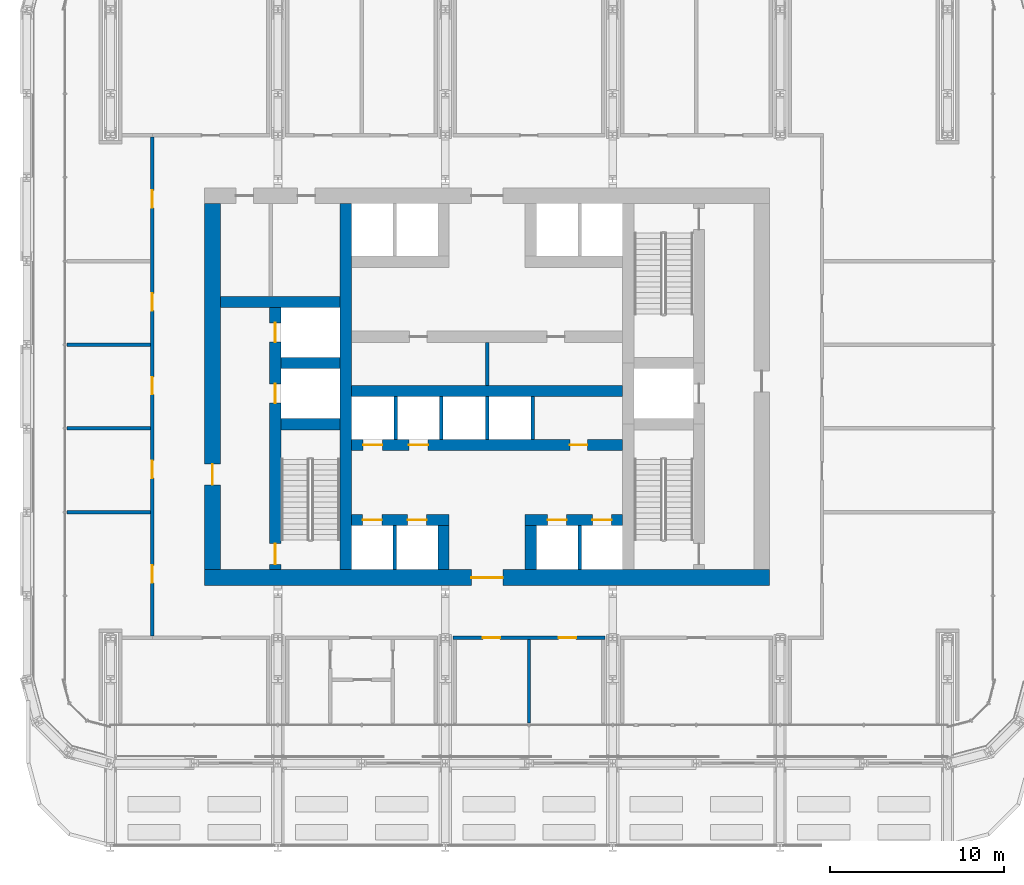
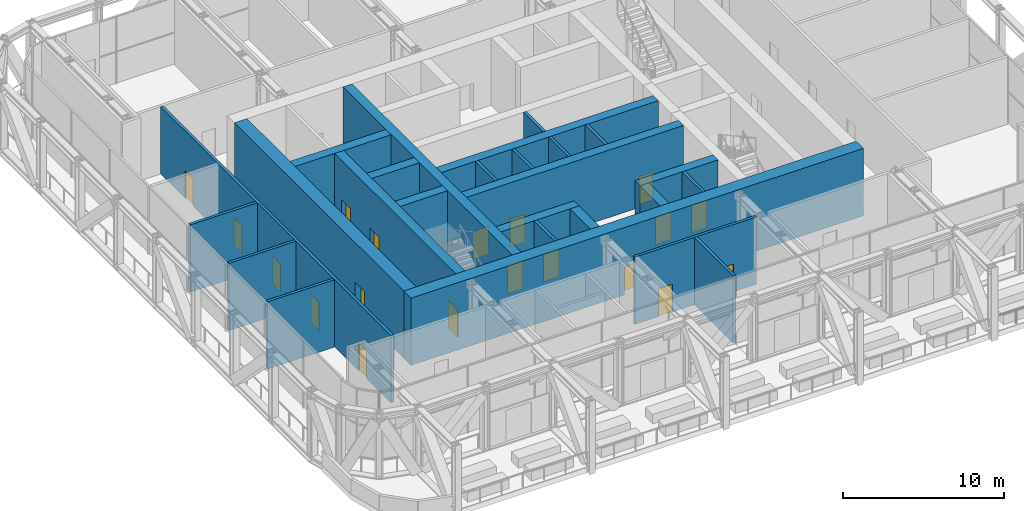
# One storey, part 15 of 23: 26 walls, 19 doors, 19 openings.
"""IFC4 building model written with IfcOpenShell, lengths in metres."""

from ifc_helpers import new_model, si_unit, direction, frame, frame_2d, origin, place, context, subcontext, project, spatial, rectangle, extrude, material, layer, layer_set, type_object, element, fill, save


model = new_model("IFC4")

# Units and contexts
model_context = context("Model", 3, precision=1e-05, world=origin(), true_north=direction((0.0, 1.0)))
body_context = subcontext(model_context, "Body", "Model", "MODEL_VIEW")
ifc_project = project(units=[si_unit("LENGTHUNIT", "METRE"), si_unit("AREAUNIT", "SQUARE_METRE"), si_unit("VOLUMEUNIT", "CUBIC_METRE"), si_unit("PLANEANGLEUNIT", "RADIAN"), si_unit("MASSUNIT", "GRAM", prefix="KILO")], contexts=[model_context])

# Site, building, storey
site_placement = place(None, origin())
site = spatial("IfcSite", under=ifc_project, at=site_placement, CompositionType="ELEMENT")
building_placement = place(site_placement, origin())
building = spatial("IfcBuilding", under=site, at=building_placement, Name="Madar Terraces", CompositionType="ELEMENT")
storey_placement = place(building_placement, frame((0.0, 0.0, 83.800048828125)))
storey = spatial("IfcBuildingStorey", under=building, at=storey_placement, Name="L21", CompositionType="ELEMENT", Elevation=83.800048828125)

# Wall, openings, doors
ifc_material_1 = material(Name="Concrete C80/95", Category="concrete")
ifc_layer_1 = layer(ifc_material_1, 0.64990234375)
ifc_layer_set_1 = layer_set([ifc_layer_1], Name="Concrete C80/95 (CIW2 RC wall 650)")
wall_type_1 = type_object("IfcWallType", Name="CIW2 RC wall 650", PredefinedType="SHEAR", material=ifc_layer_set_1)
wall_1_placement = place(storey_placement, frame((19.050048828125, 15.89990234375, 0.0), z_axis=(0.0, 0.0, 1.0), x_axis=(0.0, 1.0, 0.0)))
wall_1 = element("IfcWall", 1, at=wall_1_placement, inside=storey, type_object=wall_type_1, Name="CORE SHAFT WALL", PredefinedType="SHEAR", context=body_context, shape_type="SweptSolid", body=[
    extrude(rectangle(XDim=15.025146484375, YDim=0.64990234375, at=frame_2d((7.5126953125, 0.0))), origin(), (0.0, 0.0, 1.0), 5.099853515625),
])
opening_1_placement = place(wall_1_placement, frame((9.550048828125, 0.0, 0.0)))
opening_1 = element("IfcOpeningElement", 2, at=opening_1_placement, cuts=wall_1, Name="Opening LD", PredefinedType="OPENING", context=body_context, shape_type="SweptSolid", body=[
    extrude(rectangle(XDim=1.10009765625, YDim=2.10009765625, at=frame_2d((0.550048828125, 1.050048828125))), frame((0.0, 0.3349609375, 0.0), z_axis=(0.0, -1.0, 0.0), x_axis=(1.0, 0.0, 0.0)), (0.0, 0.0, 1.0), 0.669921875),
])
opening_2_placement = place(wall_1_placement, frame((13.050048828125, 0.0, 0.0)))
opening_2 = element("IfcOpeningElement", 3, at=opening_2_placement, cuts=wall_1, Name="Opening LD", PredefinedType="OPENING", context=body_context, shape_type="SweptSolid", body=[
    extrude(rectangle(XDim=1.10009765625, YDim=2.10009765625, at=frame_2d((0.550048828125, 1.050048828125))), frame((0.0, 0.3349609375, 0.0), z_axis=(0.0, -1.0, 0.0), x_axis=(1.0, 0.0, 0.0)), (0.0, 0.0, 1.0), 0.669921875),
])
opening_3_placement = place(wall_1_placement, frame((0.300048828125, 0.0, 0.0)))
opening_3 = element("IfcOpeningElement", 4, at=opening_3_placement, cuts=wall_1, Name="Opening SD1", PredefinedType="OPENING", context=body_context, shape_type="SweptSolid", body=[
    extrude(rectangle(XDim=1.199951171875, YDim=2.10009765625, at=frame_2d((0.60009765625, 1.050048828125))), frame((0.0, 0.3349609375, 0.0), z_axis=(0.0, -1.0, 0.0), x_axis=(1.0, 0.0, 0.0)), (0.0, 0.0, 1.0), 0.669921875),
])
ifc_material_2 = material(Name="Stainless steel panel", Category="steel")
door_type_1 = type_object("IfcDoorType", Name="Lift landing door 1100 x 2100", OperationType="DOUBLE_DOOR_SLIDING", PredefinedType="DOOR", material=ifc_material_2)
door_1_placement = place(opening_1_placement, origin())
door_1 = element("IfcDoor", 5, at=door_1_placement, inside=storey, type_object=door_type_1, Name="LIFT LANDING DOOR", OperationType="DOUBLE_DOOR_SLIDING", OverallHeight=2.10009765625, OverallWidth=1.10009765625, PredefinedType="DOOR", context=body_context, shape_type="SweptSolid", body=[
    extrude(rectangle(XDim=1.10009765625, YDim=2.10009765625, at=frame_2d((0.550048828125, 1.050048828125))), frame((0.0, 0.02490234375, 0.0), z_axis=(0.0, -1.0, 0.0), x_axis=(1.0, 0.0, 0.0)), (0.0, 0.0, 1.0), 0.050048828125),
])
fill(opening_1, door_1)
door_2_placement = place(opening_2_placement, origin())
door_2 = element("IfcDoor", 6, at=door_2_placement, inside=storey, type_object=door_type_1, Name="LIFT LANDING DOOR", OperationType="DOUBLE_DOOR_SLIDING", OverallHeight=2.10009765625, OverallWidth=1.10009765625, PredefinedType="DOOR", context=body_context, shape_type="SweptSolid", body=[
    extrude(rectangle(XDim=1.10009765625, YDim=2.10009765625, at=frame_2d((0.550048828125, 1.050048828125))), frame((0.0, 0.02490234375, 0.0), z_axis=(0.0, -1.0, 0.0), x_axis=(1.0, 0.0, 0.0)), (0.0, 0.0, 1.0), 0.050048828125),
])
fill(opening_2, door_2)
ifc_material_3 = material(Name="Steel door leaf", Category="steel")
door_type_2 = type_object("IfcDoorType", Name="Stair door 1200 x 2100", OperationType="NOTDEFINED", PredefinedType="DOOR", material=ifc_material_3)
door_3_placement = place(opening_3_placement, frame((1.199951171875, 0.0, 0.0), z_axis=(0.0, 0.0, 1.0), x_axis=(-1.0, 0.0, 0.0)))
door_3 = element("IfcDoor", 7, at=door_3_placement, inside=storey, type_object=door_type_2, Name="STAIR DOOR", OperationType="SINGLE_SWING_LEFT", OverallHeight=2.10009765625, OverallWidth=1.199951171875, PredefinedType="DOOR", context=body_context, shape_type="SweptSolid", body=[
    extrude(rectangle(XDim=1.199951171875, YDim=2.10009765625, at=frame_2d((0.60009765625, 1.050048828125))), frame((0.0, 0.02490234375, 0.0), z_axis=(0.0, -1.0, 0.0), x_axis=(1.0, 0.0, 0.0)), (0.0, 0.0, 1.0), 0.050048828125),
])
fill(opening_3, door_3)

# Walls
wall_2_placement = place(storey_placement, frame((23.10009765625, 15.89990234375, 0.0), z_axis=(0.0, 0.0, 1.0), x_axis=(0.0, 1.0, 0.0)))
element("IfcWall", 8, at=wall_2_placement, inside=storey, type_object=wall_type_1, Name="CORE SHAFT WALL", PredefinedType="SHEAR", context=body_context, shape_type="SweptSolid", body=[
    extrude(rectangle(XDim=21.0, YDim=0.64990234375, at=frame_2d((10.5, 0.0))), origin(), (0.0, 0.0, 1.0), 5.099853515625),
])
for number, where, z_axis, x_axis, name in (
    (9, (19.375, 24.25, 0.0), (0.0, 0.0, 1.0), (1.0, 0.0, 0.0), "CORE SHAFT WALL"),
    (10, (19.375, 27.75, 0.0), (0.0, 0.0, 1.0), (1.0, 0.0, 0.0), "CORE SHAFT WALL"),
):
    element("IfcWall", number, at=place(storey_placement, frame(where, z_axis=z_axis, x_axis=x_axis)), inside=storey, type_object=wall_type_1, Name=name, PredefinedType="SHEAR", context=body_context, shape_type="SweptSolid", body=[
        extrude(rectangle(XDim=3.39990234375, YDim=0.64990234375, at=frame_2d((1.699951171875, 0.0))), origin(), (0.0, 0.0, 1.0), 5.099853515625),
    ])
wall_3_placement = place(storey_placement, frame((15.89990234375, 31.25, 0.0), z_axis=(0.0, 0.0, 1.0), x_axis=(1.0, 0.0, 0.0)))
element("IfcWall", 11, at=wall_3_placement, inside=storey, type_object=wall_type_1, Name="CORE SHAFT WALL", PredefinedType="SHEAR", context=body_context, shape_type="SweptSolid", body=[
    extrude(rectangle(XDim=6.875, YDim=0.64990234375, at=frame_2d((3.4375, 0.0))), origin(), (0.0, 0.0, 1.0), 5.099853515625),
])

# Wall, openings, doors
wall_4_placement = place(storey_placement, frame((23.425048828125, 18.75, 0.0), z_axis=(0.0, 0.0, 1.0), x_axis=(1.0, 0.0, 0.0)))
wall_4 = element("IfcWall", 12, at=wall_4_placement, inside=storey, type_object=wall_type_1, Name="CORE SHAFT WALL", PredefinedType="SHEAR", context=body_context, shape_type="SweptSolid", body=[
    extrude(rectangle(XDim=5.599853515625, YDim=0.64990234375, at=frame_2d((2.7998046875, 0.0))), origin(), (0.0, 0.0, 1.0), 5.099853515625),
])
opening_4_placement = place(wall_4_placement, frame((0.637451171875, 0.0, 0.0)))
opening_4 = element("IfcOpeningElement", 13, at=opening_4_placement, cuts=wall_4, Name="Opening LD", PredefinedType="OPENING", context=body_context, shape_type="SweptSolid", body=[
    extrude(rectangle(XDim=1.10009765625, YDim=2.10009765625, at=frame_2d((0.550048828125, 1.050048828125))), frame((0.0, 0.3349609375, 0.0), z_axis=(0.0, -1.0, 0.0), x_axis=(1.0, 0.0, 0.0)), (0.0, 0.0, 1.0), 0.669921875),
])
opening_5_placement = place(wall_4_placement, frame((3.21240234375, 0.0, 0.0)))
opening_5 = element("IfcOpeningElement", 14, at=opening_5_placement, cuts=wall_4, Name="Opening LD", PredefinedType="OPENING", context=body_context, shape_type="SweptSolid", body=[
    extrude(rectangle(XDim=1.10009765625, YDim=2.10009765625, at=frame_2d((0.550048828125, 1.050048828125))), frame((0.0, 0.3349609375, 0.0), z_axis=(0.0, -1.0, 0.0), x_axis=(1.0, 0.0, 0.0)), (0.0, 0.0, 1.0), 0.669921875),
])
door_4_placement = place(opening_4_placement, origin())
door_4 = element("IfcDoor", 15, at=door_4_placement, inside=storey, type_object=door_type_1, Name="LIFT LANDING DOOR", OperationType="DOUBLE_DOOR_SLIDING", OverallHeight=2.10009765625, OverallWidth=1.10009765625, PredefinedType="DOOR", context=body_context, shape_type="SweptSolid", body=[
    extrude(rectangle(XDim=1.10009765625, YDim=2.10009765625, at=frame_2d((0.550048828125, 1.050048828125))), frame((0.0, 0.02490234375, 0.0), z_axis=(0.0, -1.0, 0.0), x_axis=(1.0, 0.0, 0.0)), (0.0, 0.0, 1.0), 0.050048828125),
])
fill(opening_4, door_4)
door_5_placement = place(opening_5_placement, origin())
door_5 = element("IfcDoor", 16, at=door_5_placement, inside=storey, type_object=door_type_1, Name="LIFT LANDING DOOR", OperationType="DOUBLE_DOOR_SLIDING", OverallHeight=2.10009765625, OverallWidth=1.10009765625, PredefinedType="DOOR", context=body_context, shape_type="SweptSolid", body=[
    extrude(rectangle(XDim=1.10009765625, YDim=2.10009765625, at=frame_2d((0.550048828125, 1.050048828125))), frame((0.0, 0.02490234375, 0.0), z_axis=(0.0, -1.0, 0.0), x_axis=(1.0, 0.0, 0.0)), (0.0, 0.0, 1.0), 0.050048828125),
])
fill(opening_5, door_5)

wall_5_placement = place(storey_placement, frame((33.375, 18.75, 0.0), z_axis=(0.0, 0.0, 1.0), x_axis=(1.0, 0.0, 0.0)))
wall_5 = element("IfcWall", 17, at=wall_5_placement, inside=storey, type_object=wall_type_1, Name="CORE SHAFT WALL", PredefinedType="SHEAR", context=body_context, shape_type="SweptSolid", body=[
    extrude(rectangle(XDim=5.60009765625, YDim=0.64990234375, at=frame_2d((2.800048828125, 0.0))), origin(), (0.0, 0.0, 1.0), 5.099853515625),
])
opening_6_placement = place(wall_5_placement, frame((1.28759765625, 0.0, 0.0)))
opening_6 = element("IfcOpeningElement", 18, at=opening_6_placement, cuts=wall_5, Name="Opening LD", PredefinedType="OPENING", context=body_context, shape_type="SweptSolid", body=[
    extrude(rectangle(XDim=1.10009765625, YDim=2.10009765625, at=frame_2d((0.550048828125, 1.050048828125))), frame((0.0, 0.3349609375, 0.0), z_axis=(0.0, -1.0, 0.0), x_axis=(1.0, 0.0, 0.0)), (0.0, 0.0, 1.0), 0.669921875),
])
opening_7_placement = place(wall_5_placement, frame((3.862548828125, 0.0, 0.0)))
opening_7 = element("IfcOpeningElement", 19, at=opening_7_placement, cuts=wall_5, Name="Opening LD", PredefinedType="OPENING", context=body_context, shape_type="SweptSolid", body=[
    extrude(rectangle(XDim=1.10009765625, YDim=2.10009765625, at=frame_2d((0.550048828125, 1.050048828125))), frame((0.0, 0.3349609375, 0.0), z_axis=(0.0, -1.0, 0.0), x_axis=(1.0, 0.0, 0.0)), (0.0, 0.0, 1.0), 0.669921875),
])
door_6_placement = place(opening_6_placement, origin())
door_6 = element("IfcDoor", 20, at=door_6_placement, inside=storey, type_object=door_type_1, Name="LIFT LANDING DOOR", OperationType="DOUBLE_DOOR_SLIDING", OverallHeight=2.10009765625, OverallWidth=1.10009765625, PredefinedType="DOOR", context=body_context, shape_type="SweptSolid", body=[
    extrude(rectangle(XDim=1.10009765625, YDim=2.10009765625, at=frame_2d((0.550048828125, 1.050048828125))), frame((0.0, 0.02490234375, 0.0), z_axis=(0.0, -1.0, 0.0), x_axis=(1.0, 0.0, 0.0)), (0.0, 0.0, 1.0), 0.050048828125),
])
fill(opening_6, door_6)
door_7_placement = place(opening_7_placement, origin())
door_7 = element("IfcDoor", 21, at=door_7_placement, inside=storey, type_object=door_type_1, Name="LIFT LANDING DOOR", OperationType="DOUBLE_DOOR_SLIDING", OverallHeight=2.10009765625, OverallWidth=1.10009765625, PredefinedType="DOOR", context=body_context, shape_type="SweptSolid", body=[
    extrude(rectangle(XDim=1.10009765625, YDim=2.10009765625, at=frame_2d((0.550048828125, 1.050048828125))), frame((0.0, 0.02490234375, 0.0), z_axis=(0.0, -1.0, 0.0), x_axis=(1.0, 0.0, 0.0)), (0.0, 0.0, 1.0), 0.050048828125),
])
fill(opening_7, door_7)

wall_6_placement = place(storey_placement, frame((23.425048828125, 23.050048828125, 0.0), z_axis=(0.0, 0.0, 1.0), x_axis=(1.0, 0.0, 0.0)))
wall_6 = element("IfcWall", 22, at=wall_6_placement, inside=storey, type_object=wall_type_1, Name="CORE SHAFT WALL", PredefinedType="SHEAR", context=body_context, shape_type="SweptSolid", body=[
    extrude(rectangle(XDim=15.550048828125, YDim=0.64990234375, at=frame_2d((7.77490234375, 0.0))), origin(), (0.0, 0.0, 1.0), 5.099853515625),
])
opening_8_placement = place(wall_6_placement, frame((0.66259765625, 0.0, 0.0)))
opening_8 = element("IfcOpeningElement", 23, at=opening_8_placement, cuts=wall_6, Name="Opening LD", PredefinedType="OPENING", context=body_context, shape_type="SweptSolid", body=[
    extrude(rectangle(XDim=1.10009765625, YDim=2.10009765625, at=frame_2d((0.550048828125, 1.050048828125))), frame((0.0, 0.3349609375, 0.0), z_axis=(0.0, -1.0, 0.0), x_axis=(1.0, 0.0, 0.0)), (0.0, 0.0, 1.0), 0.669921875),
])
opening_9_placement = place(wall_6_placement, frame((3.28759765625, 0.0, 0.0)))
opening_9 = element("IfcOpeningElement", 24, at=opening_9_placement, cuts=wall_6, Name="Opening LD", PredefinedType="OPENING", context=body_context, shape_type="SweptSolid", body=[
    extrude(rectangle(XDim=1.10009765625, YDim=2.10009765625, at=frame_2d((0.550048828125, 1.050048828125))), frame((0.0, 0.3349609375, 0.0), z_axis=(0.0, -1.0, 0.0), x_axis=(1.0, 0.0, 0.0)), (0.0, 0.0, 1.0), 0.669921875),
])
opening_10_placement = place(wall_6_placement, frame((12.52490234375, 0.0, 0.0)))
opening_10 = element("IfcOpeningElement", 25, at=opening_10_placement, cuts=wall_6, Name="Opening KD2", PredefinedType="OPENING", context=body_context, shape_type="SweptSolid", body=[
    extrude(rectangle(XDim=1.0, YDim=2.10009765625, at=frame_2d((0.5, 1.050048828125))), frame((0.0, 0.3349609375, 0.0), z_axis=(0.0, -1.0, 0.0), x_axis=(1.0, 0.0, 0.0)), (0.0, 0.0, 1.0), 0.669921875),
])
door_8_placement = place(opening_8_placement, origin())
door_8 = element("IfcDoor", 26, at=door_8_placement, inside=storey, type_object=door_type_1, Name="LIFT LANDING DOOR", OperationType="DOUBLE_DOOR_SLIDING", OverallHeight=2.10009765625, OverallWidth=1.10009765625, PredefinedType="DOOR", context=body_context, shape_type="SweptSolid", body=[
    extrude(rectangle(XDim=1.10009765625, YDim=2.10009765625, at=frame_2d((0.550048828125, 1.050048828125))), frame((0.0, 0.02490234375, 0.0), z_axis=(0.0, -1.0, 0.0), x_axis=(1.0, 0.0, 0.0)), (0.0, 0.0, 1.0), 0.050048828125),
])
fill(opening_8, door_8)
door_9_placement = place(opening_9_placement, origin())
door_9 = element("IfcDoor", 27, at=door_9_placement, inside=storey, type_object=door_type_1, Name="LIFT LANDING DOOR", OperationType="DOUBLE_DOOR_SLIDING", OverallHeight=2.10009765625, OverallWidth=1.10009765625, PredefinedType="DOOR", context=body_context, shape_type="SweptSolid", body=[
    extrude(rectangle(XDim=1.10009765625, YDim=2.10009765625, at=frame_2d((0.550048828125, 1.050048828125))), frame((0.0, 0.02490234375, 0.0), z_axis=(0.0, -1.0, 0.0), x_axis=(1.0, 0.0, 0.0)), (0.0, 0.0, 1.0), 0.050048828125),
])
fill(opening_9, door_9)
ifc_material_4 = material(Name="Steel door leaf", Category="steel")
door_type_3 = type_object("IfcDoorType", Name="Service room door 1000 x 2100", OperationType="NOTDEFINED", PredefinedType="DOOR", material=ifc_material_4)
door_10_placement = place(opening_10_placement, frame((1.0, 0.0, 0.0), z_axis=(0.0, 0.0, 1.0), x_axis=(-1.0, 0.0, 0.0)))
door_10 = element("IfcDoor", 28, at=door_10_placement, inside=storey, type_object=door_type_3, Name="SERVICE ROOM DOOR", OperationType="SINGLE_SWING_RIGHT", OverallHeight=2.10009765625, OverallWidth=1.0, PredefinedType="DOOR", context=body_context, shape_type="SweptSolid", body=[
    extrude(rectangle(XDim=1.0, YDim=2.10009765625, at=frame_2d((0.5, 1.050048828125))), frame((0.0, 0.02490234375, 0.0), z_axis=(0.0, -1.0, 0.0), x_axis=(1.0, 0.0, 0.0)), (0.0, 0.0, 1.0), 0.050048828125),
])
fill(opening_10, door_10)

# Walls
wall_7_placement = place(storey_placement, frame((23.425048828125, 26.14990234375, 0.0), z_axis=(0.0, 0.0, 1.0), x_axis=(1.0, 0.0, 0.0)))
element("IfcWall", 29, at=wall_7_placement, inside=storey, type_object=wall_type_1, Name="CORE SHAFT WALL", PredefinedType="SHEAR", context=body_context, shape_type="SweptSolid", body=[
    extrude(rectangle(XDim=15.550048828125, YDim=0.64990234375, at=frame_2d((7.77490234375, 0.0))), origin(), (0.0, 0.0, 1.0), 5.099853515625),
])
for number, where, z_axis, x_axis, name in (
    (30, (28.699951171875, 15.89990234375, 0.0), (0.0, 0.0, 1.0), (0.0, 1.0, 0.0), "CORE SHAFT WALL"),
    (31, (33.699951171875, 15.89990234375, 0.0), (0.0, 0.0, 1.0), (0.0, 1.0, 0.0), "CORE SHAFT WALL"),
):
    element("IfcWall", number, at=place(storey_placement, frame(where, z_axis=z_axis, x_axis=x_axis)), inside=storey, type_object=wall_type_1, Name=name, PredefinedType="SHEAR", context=body_context, shape_type="SweptSolid", body=[
        extrude(rectangle(XDim=2.525146484375, YDim=0.64990234375, at=frame_2d((1.2626953125, 0.0))), origin(), (0.0, 0.0, 1.0), 5.099853515625),
    ])

# Wall, opening, door
ifc_material_5 = material(Name="Concrete C80/95", Category="concrete")
ifc_layer_2 = layer(ifc_material_5, 0.89990234375)
ifc_layer_set_2 = layer_set([ifc_layer_2], Name="Concrete C80/95 (CRW2 RC wall 900)")
wall_type_2 = type_object("IfcWallType", Name="CRW2 RC wall 900", PredefinedType="SHEAR", material=ifc_layer_set_2)
wall_8_placement = place(storey_placement, frame((15.0, 15.449951171875, 0.0), z_axis=(0.0, 0.0, 1.0), x_axis=(1.0, 0.0, 0.0)))
wall_8 = element("IfcWall", 32, at=wall_8_placement, inside=storey, type_object=wall_type_2, Name="CORE OUTER WALL", PredefinedType="SHEAR", context=body_context, shape_type="SweptSolid", body=[
    extrude(rectangle(XDim=32.39990234375, YDim=0.89990234375, at=frame_2d((16.199951171875, 0.0))), origin(), (0.0, 0.0, 1.0), 5.099853515625),
])
opening_11_placement = place(wall_8_placement, frame((15.300048828125, 0.0, 0.0)))
opening_11 = element("IfcOpeningElement", 33, at=opening_11_placement, cuts=wall_8, Name="Opening KD1", PredefinedType="OPENING", context=body_context, shape_type="SweptSolid", body=[
    extrude(rectangle(XDim=1.800048828125, YDim=2.10009765625, at=frame_2d((0.89990234375, 1.050048828125))), frame((0.0, 0.4599609375, 0.0), z_axis=(0.0, -1.0, 0.0), x_axis=(1.0, 0.0, 0.0)), (0.0, 0.0, 1.0), 0.919921875),
])
ifc_material_6 = material(Name="Steel door leaf", Category="steel")
door_type_4 = type_object("IfcDoorType", Name="Lobby door pair 1800 x 2100", OperationType="DOUBLE_DOOR_SINGLE_SWING", PredefinedType="DOOR", material=ifc_material_6)
door_11_placement = place(opening_11_placement, frame((1.800048828125, 0.0, 0.0), z_axis=(0.0, 0.0, 1.0), x_axis=(-1.0, 0.0, 0.0)))
door_11 = element("IfcDoor", 34, at=door_11_placement, inside=storey, type_object=door_type_4, Name="LIFT LOBBY DOOR", OperationType="DOUBLE_DOOR_SINGLE_SWING", OverallHeight=2.10009765625, OverallWidth=1.800048828125, PredefinedType="DOOR", context=body_context, shape_type="SweptSolid", body=[
    extrude(rectangle(XDim=1.800048828125, YDim=2.10009765625, at=frame_2d((0.89990234375, 1.050048828125))), frame((0.0, 0.02490234375, 0.0), z_axis=(0.0, -1.0, 0.0), x_axis=(1.0, 0.0, 0.0)), (0.0, 0.0, 1.0), 0.050048828125),
])
fill(opening_11, door_11)

wall_9_placement = place(storey_placement, frame((15.449951171875, 15.89990234375, 0.0), z_axis=(0.0, 0.0, 1.0), x_axis=(0.0, 1.0, 0.0)))
wall_9 = element("IfcWall", 35, at=wall_9_placement, inside=storey, type_object=wall_type_2, Name="CORE OUTER WALL", PredefinedType="SHEAR", context=body_context, shape_type="SweptSolid", body=[
    extrude(rectangle(XDim=21.0, YDim=0.89990234375, at=frame_2d((10.5, 0.0))), origin(), (0.0, 0.0, 1.0), 5.099853515625),
])
opening_12_placement = place(wall_9_placement, frame((4.860107421875, 0.0, 0.0)))
opening_12 = element("IfcOpeningElement", 36, at=opening_12_placement, cuts=wall_9, Name="Opening SD1", PredefinedType="OPENING", context=body_context, shape_type="SweptSolid", body=[
    extrude(rectangle(XDim=1.199951171875, YDim=2.10009765625, at=frame_2d((0.60009765625, 1.050048828125))), frame((0.0, 0.4599609375, 0.0), z_axis=(0.0, -1.0, 0.0), x_axis=(1.0, 0.0, 0.0)), (0.0, 0.0, 1.0), 0.919921875),
])
door_12_placement = place(opening_12_placement, frame((1.199951171875, 0.0, 0.0), z_axis=(0.0, 0.0, 1.0), x_axis=(-1.0, 0.0, 0.0)))
door_12 = element("IfcDoor", 37, at=door_12_placement, inside=storey, type_object=door_type_2, Name="STAIR DOOR", OperationType="SINGLE_SWING_RIGHT", OverallHeight=2.10009765625, OverallWidth=1.199951171875, PredefinedType="DOOR", context=body_context, shape_type="SweptSolid", body=[
    extrude(rectangle(XDim=1.199951171875, YDim=2.10009765625, at=frame_2d((0.60009765625, 1.050048828125))), frame((0.0, 0.02490234375, 0.0), z_axis=(0.0, -1.0, 0.0), x_axis=(1.0, 0.0, 0.0)), (0.0, 0.0, 1.0), 0.050048828125),
])
fill(opening_12, door_12)

# Walls
ifc_material_7 = material(Name="Masonry blockwork", Category="masonry")
ifc_layer_3 = layer(ifc_material_7, 0.199951171875)
ifc_layer_set_3 = layer_set([ifc_layer_3], Name="Core partition 200 blockwork")
wall_type_3 = type_object("IfcWallType", Name="Core partition 200 blockwork", PredefinedType="PARTITIONING", material=ifc_layer_set_3)
wall_10_placement = place(storey_placement, frame((31.199951171875, 26.47509765625, 0.0), z_axis=(0.0, 0.0, 1.0), x_axis=(0.0, 1.0, 0.0)))
element("IfcWall", 38, at=wall_10_placement, inside=storey, type_object=wall_type_3, Name="SERVICE ROOM PARTITION", PredefinedType="PARTITIONING", context=body_context, shape_type="SweptSolid", body=[
    extrude(rectangle(XDim=2.449951171875, YDim=0.199951171875, at=frame_2d((1.22509765625, 0.0))), origin(), (0.0, 0.0, 1.0), 5.099853515625),
])
ifc_material_8 = material(Name="Concrete C40/50", Category="concrete")
ifc_layer_4 = layer(ifc_material_8, 0.199951171875)
ifc_layer_set_4 = layer_set([ifc_layer_4], Name="Core shaft dividing wall 200 C40/50")
wall_type_4 = type_object("IfcWallType", Name="Core shaft dividing wall 200 C40/50", PredefinedType="SOLIDWALL", material=ifc_layer_set_4)
for number, where, z_axis, x_axis, name in (
    (39, (25.949951171875, 23.375, 0.0), (0.0, 0.0, 1.0), (0.0, 1.0, 0.0), "SHAFT DIVIDING WALL"),
    (40, (28.574951171875, 23.375, 0.0), (0.0, 0.0, 1.0), (0.0, 1.0, 0.0), "SHAFT DIVIDING WALL"),
    (41, (31.199951171875, 23.375, 0.0), (0.0, 0.0, 1.0), (0.0, 1.0, 0.0), "SHAFT DIVIDING WALL"),
    (42, (33.824951171875, 23.375, 0.0), (0.0, 0.0, 1.0), (0.0, 1.0, 0.0), "SHAFT DIVIDING WALL"),
):
    element("IfcWall", number, at=place(storey_placement, frame(where, z_axis=z_axis, x_axis=x_axis)), inside=storey, type_object=wall_type_4, Name=name, PredefinedType="SOLIDWALL", context=body_context, shape_type="SweptSolid", body=[
        extrude(rectangle(XDim=2.449951171875, YDim=0.199951171875, at=frame_2d((1.22509765625, 0.0))), origin(), (0.0, 0.0, 1.0), 5.099853515625),
    ])
for number, where, z_axis, x_axis, name in (
    (43, (25.89990234375, 15.89990234375, 0.0), (0.0, 0.0, 1.0), (0.0, 1.0, 0.0), "SHAFT DIVIDING WALL"),
    (44, (36.5, 15.89990234375, 0.0), (0.0, 0.0, 1.0), (0.0, 1.0, 0.0), "SHAFT DIVIDING WALL"),
):
    element("IfcWall", number, at=place(storey_placement, frame(where, z_axis=z_axis, x_axis=x_axis)), inside=storey, type_object=wall_type_4, Name=name, PredefinedType="SOLIDWALL", context=body_context, shape_type="SweptSolid", body=[
        extrude(rectangle(XDim=2.525146484375, YDim=0.199951171875, at=frame_2d((1.2626953125, 0.0))), origin(), (0.0, 0.0, 1.0), 5.099853515625),
    ])

# Wall, openings, doors
ifc_material_9 = material(Name="Gypsum board partition, fire-rated")
ifc_layer_5 = layer(ifc_material_9, 0.199951171875)
ifc_layer_set_5 = layer_set([ifc_layer_5], Name="Partition 200 EI 60")
wall_type_5 = type_object("IfcWallType", Name="Partition 200 EI 60", PredefinedType="PARTITIONING", material=ifc_layer_set_5)
wall_11_placement = place(storey_placement, frame((37.949951171875, 12.0, 0.0), z_axis=(0.0, 0.0, 1.0), x_axis=(-1.0, 0.0, 0.0)))
wall_11 = element("IfcWall", 45, at=wall_11_placement, inside=storey, type_object=wall_type_5, Name="Wall KITCHEN + PARCEL STORE", PredefinedType="PARTITIONING", context=body_context, shape_type="SweptSolid", body=[
    extrude(rectangle(XDim=8.699951171875, YDim=0.199951171875, at=frame_2d((4.35009765625, 0.0))), origin(), (0.0, 0.0, 1.0), 5.099853515625),
])
opening_13_placement = place(wall_11_placement, frame((6.0, 0.0, 0.0)))
opening_13 = element("IfcOpeningElement", 46, at=opening_13_placement, cuts=wall_11, Name="Opening D31", PredefinedType="OPENING", context=body_context, shape_type="SweptSolid", body=[
    extrude(rectangle(XDim=1.0, YDim=2.10009765625, at=frame_2d((0.5, 1.050048828125))), frame((0.0, 0.10986328125, 0.0), z_axis=(0.0, -1.0, 0.0), x_axis=(1.0, 0.0, 0.0)), (0.0, 0.0, 1.0), 0.219970703125),
])
opening_14_placement = place(wall_11_placement, frame((1.64990234375, 0.0, 0.0)))
opening_14 = element("IfcOpeningElement", 47, at=opening_14_placement, cuts=wall_11, Name="Opening D31", PredefinedType="OPENING", context=body_context, shape_type="SweptSolid", body=[
    extrude(rectangle(XDim=1.0, YDim=2.10009765625, at=frame_2d((0.5, 1.050048828125))), frame((0.0, 0.10986328125, 0.0), z_axis=(0.0, -1.0, 0.0), x_axis=(1.0, 0.0, 0.0)), (0.0, 0.0, 1.0), 0.219970703125),
])
ifc_material_10 = material(Name="Timber door leaf, fire-rated", Category="wood")
door_type_5 = type_object("IfcDoorType", Name="Podium door 1000 x 2100 FD30S", OperationType="NOTDEFINED", PredefinedType="DOOR", material=ifc_material_10)
door_13_placement = place(opening_13_placement, origin())
door_13 = element("IfcDoor", 48, at=door_13_placement, inside=storey, type_object=door_type_5, Name="Door PARCEL STORE / RING CORRIDOR", OperationType="SINGLE_SWING_LEFT", OverallHeight=2.10009765625, OverallWidth=1.0, PredefinedType="DOOR", context=body_context, shape_type="SweptSolid", body=[
    extrude(rectangle(XDim=1.0, YDim=2.10009765625, at=frame_2d((0.5, 1.050048828125))), frame((0.0, 0.02490234375, 0.0), z_axis=(0.0, -1.0, 0.0), x_axis=(1.0, 0.0, 0.0)), (0.0, 0.0, 1.0), 0.050048828125),
])
fill(opening_13, door_13)
door_14_placement = place(opening_14_placement, origin())
door_14 = element("IfcDoor", 49, at=door_14_placement, inside=storey, type_object=door_type_5, Name="Door KITCHEN / RING CORRIDOR", OperationType="SINGLE_SWING_LEFT", OverallHeight=2.10009765625, OverallWidth=1.0, PredefinedType="DOOR", context=body_context, shape_type="SweptSolid", body=[
    extrude(rectangle(XDim=1.0, YDim=2.10009765625, at=frame_2d((0.5, 1.050048828125))), frame((0.0, 0.02490234375, 0.0), z_axis=(0.0, -1.0, 0.0), x_axis=(1.0, 0.0, 0.0)), (0.0, 0.0, 1.0), 0.050048828125),
])
fill(opening_14, door_14)

# Walls
for number, where, z_axis, x_axis, name in (
    (50, (7.10009765625, 19.199951171875, 0.0), (0.0, 0.0, 1.0), (1.0, 0.0, 0.0), "Wall OFFICE / SEWING WORKSHOP"),
    (51, (7.10009765625, 24.0, 0.0), (0.0, 0.0, 1.0), (1.0, 0.0, 0.0), "Wall SEWING WORKSHOP / FIRST AID ROOM"),
    (52, (7.10009765625, 28.800048828125, 0.0), (0.0, 0.0, 1.0), (1.0, 0.0, 0.0), "Wall FIRST AID ROOM / OFFICE"),
):
    element("IfcWall", number, at=place(storey_placement, frame(where, z_axis=z_axis, x_axis=x_axis)), inside=storey, type_object=wall_type_5, Name=name, PredefinedType="PARTITIONING", context=body_context, shape_type="SweptSolid", body=[
        extrude(rectangle(XDim=4.7998046875, YDim=0.199951171875, at=frame_2d((2.39990234375, 0.0))), origin(), (0.0, 0.0, 1.0), 5.099853515625),
    ])

# Wall, openings, doors
wall_12_placement = place(storey_placement, frame((12.0, 12.10009765625, 0.0), z_axis=(0.0, 0.0, 1.0), x_axis=(0.0, 1.0, 0.0)))
wall_12 = element("IfcWall", 53, at=wall_12_placement, inside=storey, type_object=wall_type_5, Name="Wall FIRST AID ROOM + OFFICE", PredefinedType="PARTITIONING", context=body_context, shape_type="SweptSolid", body=[
    extrude(rectangle(XDim=28.599853515625, YDim=0.199951171875, at=frame_2d((14.2998046875, 0.0))), origin(), (0.0, 0.0, 1.0), 5.099853515625),
])
opening_15_placement = place(wall_12_placement, frame((3.050048828125, 0.0, 0.0)))
opening_15 = element("IfcOpeningElement", 54, at=opening_15_placement, cuts=wall_12, Name="Opening D31", PredefinedType="OPENING", context=body_context, shape_type="SweptSolid", body=[
    extrude(rectangle(XDim=1.0, YDim=2.10009765625, at=frame_2d((0.5, 1.050048828125))), frame((0.0, 0.10986328125, 0.0), z_axis=(0.0, -1.0, 0.0), x_axis=(1.0, 0.0, 0.0)), (0.0, 0.0, 1.0), 0.219970703125),
])
opening_16_placement = place(wall_12_placement, frame((9.050048828125, 0.0, 0.0)))
opening_16 = element("IfcOpeningElement", 55, at=opening_16_placement, cuts=wall_12, Name="Opening D31", PredefinedType="OPENING", context=body_context, shape_type="SweptSolid", body=[
    extrude(rectangle(XDim=1.0, YDim=2.10009765625, at=frame_2d((0.5, 1.050048828125))), frame((0.0, 0.10986328125, 0.0), z_axis=(0.0, -1.0, 0.0), x_axis=(1.0, 0.0, 0.0)), (0.0, 0.0, 1.0), 0.219970703125),
])
opening_17_placement = place(wall_12_placement, frame((13.85009765625, 0.0, 0.0)))
opening_17 = element("IfcOpeningElement", 56, at=opening_17_placement, cuts=wall_12, Name="Opening D31", PredefinedType="OPENING", context=body_context, shape_type="SweptSolid", body=[
    extrude(rectangle(XDim=1.0, YDim=2.10009765625, at=frame_2d((0.5, 1.050048828125))), frame((0.0, 0.10986328125, 0.0), z_axis=(0.0, -1.0, 0.0), x_axis=(1.0, 0.0, 0.0)), (0.0, 0.0, 1.0), 0.219970703125),
])
opening_18_placement = place(wall_12_placement, frame((18.64990234375, 0.0, 0.0)))
opening_18 = element("IfcOpeningElement", 57, at=opening_18_placement, cuts=wall_12, Name="Opening D31", PredefinedType="OPENING", context=body_context, shape_type="SweptSolid", body=[
    extrude(rectangle(XDim=1.0, YDim=2.10009765625, at=frame_2d((0.5, 1.050048828125))), frame((0.0, 0.10986328125, 0.0), z_axis=(0.0, -1.0, 0.0), x_axis=(1.0, 0.0, 0.0)), (0.0, 0.0, 1.0), 0.219970703125),
])
opening_19_placement = place(wall_12_placement, frame((24.550048828125, 0.0, 0.0)))
opening_19 = element("IfcOpeningElement", 58, at=opening_19_placement, cuts=wall_12, Name="Opening D31", PredefinedType="OPENING", context=body_context, shape_type="SweptSolid", body=[
    extrude(rectangle(XDim=1.0, YDim=2.10009765625, at=frame_2d((0.5, 1.050048828125))), frame((0.0, 0.10986328125, 0.0), z_axis=(0.0, -1.0, 0.0), x_axis=(1.0, 0.0, 0.0)), (0.0, 0.0, 1.0), 0.219970703125),
])
door_15_placement = place(opening_15_placement, origin())
door_15 = element("IfcDoor", 59, at=door_15_placement, inside=storey, type_object=door_type_5, Name="Door OFFICE / RING CORRIDOR", OperationType="SINGLE_SWING_RIGHT", OverallHeight=2.10009765625, OverallWidth=1.0, PredefinedType="DOOR", context=body_context, shape_type="SweptSolid", body=[
    extrude(rectangle(XDim=1.0, YDim=2.10009765625, at=frame_2d((0.5, 1.050048828125))), frame((0.0, 0.02490234375, 0.0), z_axis=(0.0, -1.0, 0.0), x_axis=(1.0, 0.0, 0.0)), (0.0, 0.0, 1.0), 0.050048828125),
])
fill(opening_15, door_15)
door_16_placement = place(opening_16_placement, origin())
door_16 = element("IfcDoor", 60, at=door_16_placement, inside=storey, type_object=door_type_5, Name="Door SEWING WORKSHOP / RING CORRIDOR", OperationType="SINGLE_SWING_RIGHT", OverallHeight=2.10009765625, OverallWidth=1.0, PredefinedType="DOOR", context=body_context, shape_type="SweptSolid", body=[
    extrude(rectangle(XDim=1.0, YDim=2.10009765625, at=frame_2d((0.5, 1.050048828125))), frame((0.0, 0.02490234375, 0.0), z_axis=(0.0, -1.0, 0.0), x_axis=(1.0, 0.0, 0.0)), (0.0, 0.0, 1.0), 0.050048828125),
])
fill(opening_16, door_16)
door_17_placement = place(opening_17_placement, origin())
door_17 = element("IfcDoor", 61, at=door_17_placement, inside=storey, type_object=door_type_5, Name="Door FIRST AID ROOM / RING CORRIDOR", OperationType="SINGLE_SWING_RIGHT", OverallHeight=2.10009765625, OverallWidth=1.0, PredefinedType="DOOR", context=body_context, shape_type="SweptSolid", body=[
    extrude(rectangle(XDim=1.0, YDim=2.10009765625, at=frame_2d((0.5, 1.050048828125))), frame((0.0, 0.02490234375, 0.0), z_axis=(0.0, -1.0, 0.0), x_axis=(1.0, 0.0, 0.0)), (0.0, 0.0, 1.0), 0.050048828125),
])
fill(opening_17, door_17)
door_18_placement = place(opening_18_placement, origin())
door_18 = element("IfcDoor", 62, at=door_18_placement, inside=storey, type_object=door_type_5, Name="Door OFFICE / RING CORRIDOR", OperationType="SINGLE_SWING_RIGHT", OverallHeight=2.10009765625, OverallWidth=1.0, PredefinedType="DOOR", context=body_context, shape_type="SweptSolid", body=[
    extrude(rectangle(XDim=1.0, YDim=2.10009765625, at=frame_2d((0.5, 1.050048828125))), frame((0.0, 0.02490234375, 0.0), z_axis=(0.0, -1.0, 0.0), x_axis=(1.0, 0.0, 0.0)), (0.0, 0.0, 1.0), 0.050048828125),
])
fill(opening_18, door_18)
door_19_placement = place(opening_19_placement, origin())
door_19 = element("IfcDoor", 63, at=door_19_placement, inside=storey, type_object=door_type_5, Name="Door STAFF ROOM / RING CORRIDOR", OperationType="SINGLE_SWING_RIGHT", OverallHeight=2.10009765625, OverallWidth=1.0, PredefinedType="DOOR", context=body_context, shape_type="SweptSolid", body=[
    extrude(rectangle(XDim=1.0, YDim=2.10009765625, at=frame_2d((0.5, 1.050048828125))), frame((0.0, 0.02490234375, 0.0), z_axis=(0.0, -1.0, 0.0), x_axis=(1.0, 0.0, 0.0)), (0.0, 0.0, 1.0), 0.050048828125),
])
fill(opening_19, door_19)

# Wall
wall_13_placement = place(storey_placement, frame((33.60009765625, 7.10009765625, 0.0), z_axis=(0.0, 0.0, 1.0), x_axis=(0.0, 1.0, 0.0)))
element("IfcWall", 64, at=wall_13_placement, inside=storey, type_object=wall_type_5, Name="Wall PARCEL STORE / KITCHEN", PredefinedType="PARTITIONING", context=body_context, shape_type="SweptSolid", body=[
    extrude(rectangle(XDim=4.7998046875, YDim=0.199951171875, at=frame_2d((2.39990234375, 0.0))), origin(), (0.0, 0.0, 1.0), 5.099853515625),
])

save(model, "model.ifc")
